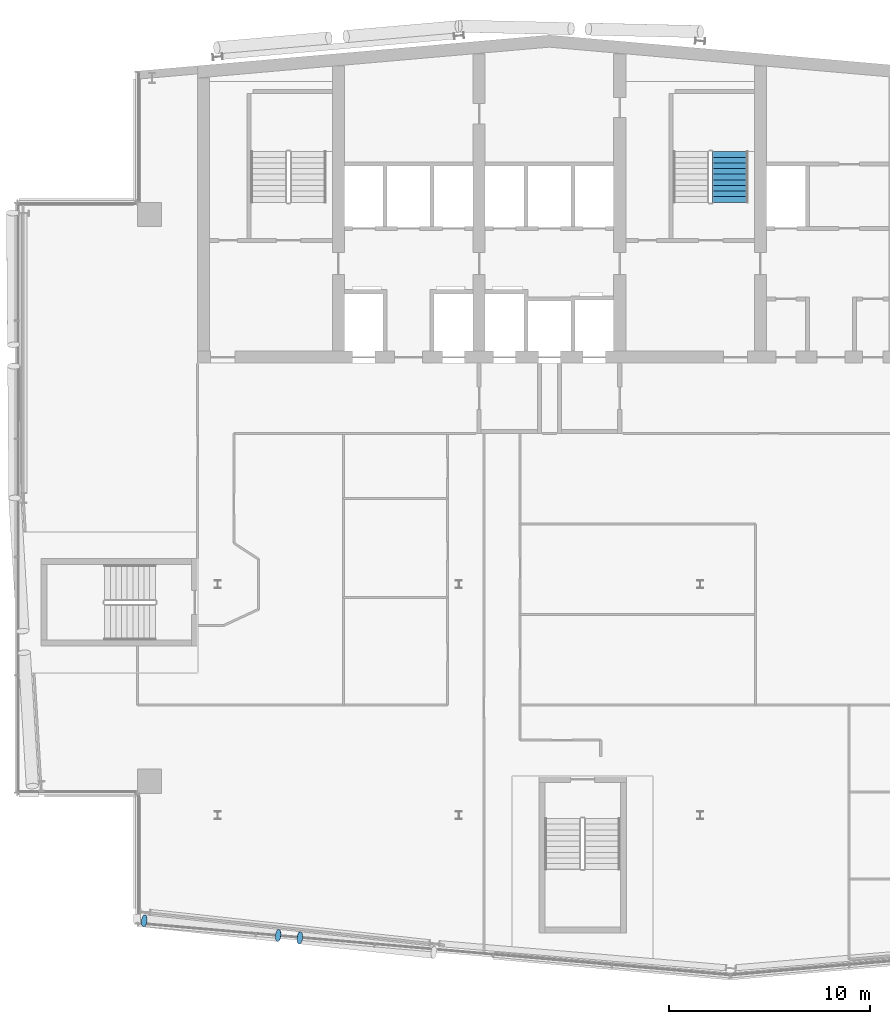
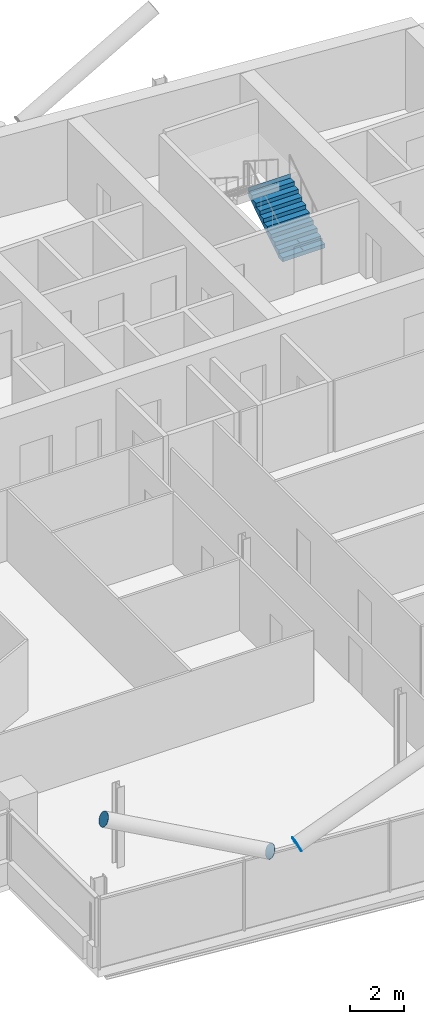
# One storey, part 20 of 27: 3 discrete accessories, 1 stair flight, 1 element without a shape of its own.
"""IFC4 building model written with IfcOpenShell, lengths in metres."""

from ifc_helpers import new_model, si_unit, direction, frame, origin, origin_2d, place, context, subcontext, project, spatial, polyline, circle, outline, extrude, material, material_profile, profile_set, type_object, element, aggregate, save


model = new_model("IFC4")

# Units and contexts
model_context = context("Model", 3, precision=1e-05, world=origin(), true_north=direction((0.0, 1.0)))
body_context = subcontext(model_context, "Body", "Model", "MODEL_VIEW")
ifc_project = project(units=[si_unit("LENGTHUNIT", "METRE"), si_unit("AREAUNIT", "SQUARE_METRE"), si_unit("VOLUMEUNIT", "CUBIC_METRE"), si_unit("PLANEANGLEUNIT", "RADIAN"), si_unit("MASSUNIT", "GRAM", prefix="KILO")], contexts=[model_context])

# Site, building, storey
site_placement = place(None, origin())
site = spatial("IfcSite", under=ifc_project, at=site_placement, CompositionType="ELEMENT")
building_placement = place(site_placement, origin())
building = spatial("IfcBuilding", under=site, at=building_placement, Name="Wharfspan Tower", CompositionType="ELEMENT")
storey_placement = place(building_placement, frame((0.0, 0.0, 221.5)))
storey = spatial("IfcBuildingStorey", under=building, at=storey_placement, Name="L55", CompositionType="ELEMENT", Elevation=221.5)

# Stair, stair flight
ifc_material_1 = material(Name="Concrete C40/50", Category="concrete")
stair_type = type_object("IfcStairType", Name="Half-turn stair 20 risers 180 mm", PredefinedType="HALF_TURN_STAIR", material=ifc_material_1)
stair_placement = place(storey_placement, origin())
stair = element("IfcStair", 1, at=stair_placement, inside=storey, type_object=stair_type, Name="L55 stair ST2", PredefinedType="HALF_TURN_STAIR")
stair_flight_type = type_object("IfcStairFlightType", Name="Stair flight 20 risers 180 mm", PredefinedType="STRAIGHT", material=ifc_material_1)
stair_flight_placement = place(storey_placement, frame((49.5, 42.0, 0.0), z_axis=(0.0, 0.0, 1.0), x_axis=(0.0, 1.0, 0.0)))
stair_flight = element("IfcStairFlight", 2, at=stair_flight_placement, type_object=stair_flight_type, Name="ST2 flight 1", NumberOfRisers=10, NumberOfTreads=9, PredefinedType="STRAIGHT", RiserHeight=0.18, TreadLength=0.28, context=body_context, shape_type="SweptSolid", body=[
    extrude(outline(polyline([(-0.011963, 0.0), (-0.011963, 0.179932), (0.0, 0.179932), (0.280029, 0.179932), (0.280029, 0.360107), (0.560059, 0.360107), (0.560059, 0.540039), (0.840088, 0.540039), (0.840088, 0.719971), (1.120117, 0.719971), (1.120117, 0.899902), (1.399902, 0.899902), (1.399902, 1.080078), (1.679932, 1.080078), (1.679932, 1.26001), (1.959961, 1.26001), (1.959961, 1.439941), (2.23999, 1.439941), (2.23999, 1.620117), (2.52002, 1.620117), (2.531982, 1.800049), (2.531982, 1.441895), (0.2771, 0.0), (-0.011963, 0.0)])), frame((0.0, 0.899902, 0.0), z_axis=(0.0, -1.0, 0.0), x_axis=(1.0, 0.0, 0.0)), (0.0, 0.0, 1.0), 0.899414),
    extrude(outline(polyline([(-0.011963, 0.0), (-0.011963, 0.179932), (0.0, 0.179932), (0.280029, 0.179932), (0.280029, 0.360107), (0.560059, 0.360107), (0.560059, 0.540039), (0.840088, 0.540039), (0.840088, 0.719971), (1.120117, 0.719971), (1.120117, 0.899902), (1.399902, 0.899902), (1.399902, 1.080078), (1.679932, 1.080078), (1.679932, 1.26001), (1.959961, 1.26001), (1.959961, 1.439941), (2.23999, 1.439941), (2.23999, 1.620117), (2.52002, 1.620117), (2.531982, 1.800049), (2.531982, 1.441895), (0.2771, 0.0), (-0.011963, 0.0)])), frame((0.0, -0.000488, 0.0), z_axis=(0.0, -1.0, 0.0), x_axis=(1.0, 0.0, 0.0)), (0.0, 0.0, 1.0), 0.899414),
])
aggregate(stair, [stair_flight])

# Discrete accessories
ifc_material_2 = material(Name="Steel S460NH", Category="steel")
ifc_material_profile = material_profile(ifc_material_2, circle(Radius=0.304932, at=origin_2d()))
ifc_profile_set = profile_set([ifc_material_profile], Name="Steel S460NH")
discrete_accessory_type = type_object("IfcDiscreteAccessoryType", Name="End plate CHS 610x25", PredefinedType="BRACKET", material=ifc_profile_set)
discrete_accessory_1_placement = place(storey_placement, frame((28.080078, 5.411865, 3.166748), z_axis=(0.890043, -0.098894, 0.445021), x_axis=(0.110431, 0.99388, 1e-06)))
element("IfcDiscreteAccessory", 3, at=discrete_accessory_1_placement, inside=storey, type_object=discrete_accessory_type, Name="End plate CHS 610x25", PredefinedType="BRACKET", context=body_context, shape_type="SweptSolid", body=[
    extrude(circle(Radius=0.304932, at=origin_2d()), origin(), (0.0, 0.0, 1.0), 0.009766),
])
discrete_accessory_2_placement = place(storey_placement, frame((27.014404, 5.527344, 3.166748), z_axis=(-0.895016, 0.096758, 0.435413), x_axis=(-0.107482, -0.994209, -1e-06)))
element("IfcDiscreteAccessory", 4, at=discrete_accessory_2_placement, inside=storey, type_object=discrete_accessory_type, Name="End plate CHS 610x25", PredefinedType="BRACKET", context=body_context, shape_type="SweptSolid", body=[
    extrude(circle(Radius=0.304932, at=origin_2d()), origin(), (0.0, 0.0, 1.0), 0.01001),
])
discrete_accessory_3_placement = place(storey_placement, frame((20.352539, 6.249268, 6.5), z_axis=(-0.890043, 0.098894, 0.445021), x_axis=(-0.110431, -0.99388, 1e-06)))
element("IfcDiscreteAccessory", 5, at=discrete_accessory_3_placement, inside=storey, type_object=discrete_accessory_type, Name="End plate CHS 610x25", PredefinedType="BRACKET", context=body_context, shape_type="SweptSolid", body=[
    extrude(circle(Radius=0.304932, at=origin_2d()), origin(), (0.0, 0.0, 1.0), 0.009766),
])

save(model, "model.ifc")
